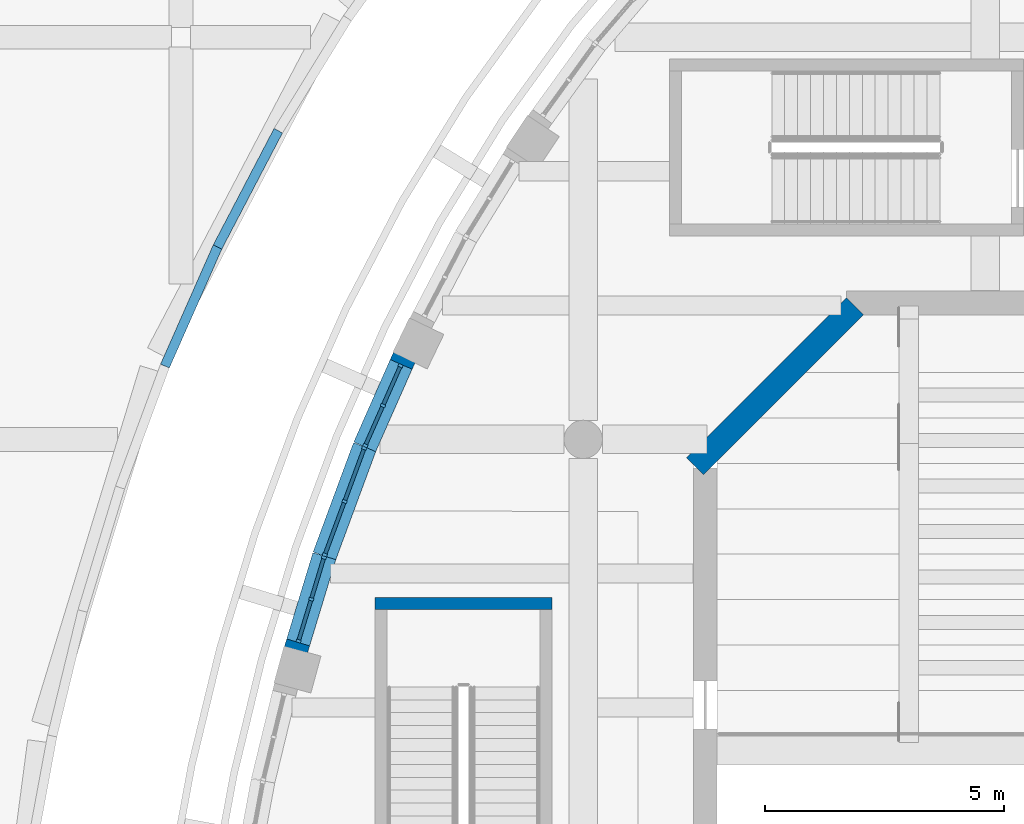
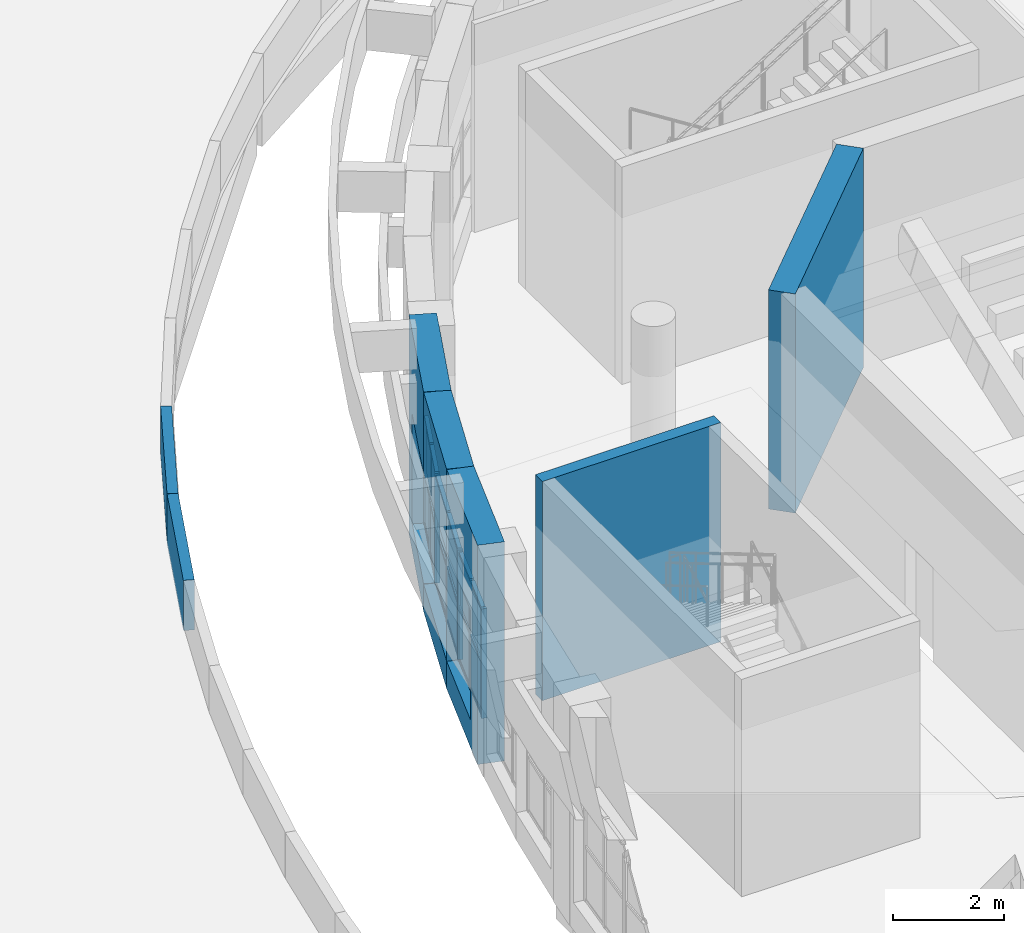
# One storey, part 28 of 79: 27 members, 12 plates, 7 walls, 3 openings, 3 elements without a shape of their own.
"""IFC4 building model written with IfcOpenShell, lengths in metres."""

import ifcopenshell
import ifcopenshell.guid

model = None  # the IFC model being written
_history = None  # IfcOwnerHistory: only IFC2X3 demands one
_inside = {}  # id of a spatial element -> (the spatial element, [elements in it])
_under = {}  # id of a project, library or spatial element -> (it, [spatial elements below it])
_declared = {}  # id of a project -> (the project, [libraries it declares])
_typed = {}  # id of a type object -> (the type object, [elements of that type])
_made_of = {}  # id of a material, layer set ... -> (it, [elements and type objects made of it])


def new_model(schema):
    """Start an empty IFC model of exactly this schema.

    Asked for "IFC4X3", IfcOpenShell would pick the latest addendum, in which some entities
    have other attributes; the version numbers below select the first issue.
    IFC2X3 requires an IfcOwnerHistory on every rooted entity: one is made here for all.
    """
    global model, _history
    if schema == "IFC4X3":
        model = ifcopenshell.file(schema_version=(4, 3, 0, 0))
    else:
        model = ifcopenshell.file(schema=schema)
    _inside.clear()
    _under.clear()
    _declared.clear()
    _typed.clear()
    _made_of.clear()
    _history = None
    if model.schema == "IFC2X3":
        org = make("IfcOrganization", Name="unknown")
        user = make(
            "IfcPersonAndOrganization",
            ThePerson=make("IfcPerson", FamilyName="unknown"),
            TheOrganization=org,
        )
        app = make(
            "IfcApplication",
            ApplicationDeveloper=org,
            Version="unknown",
            ApplicationFullName="unknown",
            ApplicationIdentifier="unknown",
        )
        _history = make(
            "IfcOwnerHistory",
            OwningUser=user,
            OwningApplication=app,
            ChangeAction="ADDED",
            CreationDate=0,
        )
    return model


def make(cls, **values):
    """One entity of the class cls with the attributes given. An attribute that is None is left unset."""
    return model.create_entity(
        cls, **{name: value for name, value in values.items() if value is not None}
    )


def rooted(cls, **values):
    """An entity with a GlobalId (a new one), such as an element, a storey or a relation."""
    return make(cls, GlobalId=ifcopenshell.guid.new(), OwnerHistory=_history, **values)


def si_unit(unit_type, name, prefix=None):
    """IfcSIUnit, for example si_unit("LENGTHUNIT", "METRE", prefix="MILLI")."""
    return make("IfcSIUnit", UnitType=unit_type, Prefix=prefix, Name=name)


def assignment(units):
    """IfcUnitAssignment: the units of a project."""
    return None if units is None else make("IfcUnitAssignment", Units=units)


def point(xyz):
    """IfcCartesianPoint."""
    return None if xyz is None else make("IfcCartesianPoint", Coordinates=xyz)


def direction(xyz):
    """IfcDirection."""
    return None if xyz is None else make("IfcDirection", DirectionRatios=xyz)


def frame(location, z_axis=None, x_axis=None):
    """IfcAxis2Placement3D, a coordinate frame: its origin and axes. An axis left out is left unset."""
    return make(
        "IfcAxis2Placement3D",
        Location=point(location),
        Axis=direction(z_axis),
        RefDirection=direction(x_axis),
    )


def frame_2d(location, x_axis=None):
    """IfcAxis2Placement2D, a coordinate frame in the plane: its origin and x axis."""
    return make(
        "IfcAxis2Placement2D", Location=point(location), RefDirection=direction(x_axis)
    )


def origin():
    """The frame at (0, 0, 0) with its axes left unset."""
    return frame((0.0, 0.0, 0.0))


def origin_2d():
    """The frame at (0, 0) in the plane with its x axis left unset."""
    return frame_2d((0.0, 0.0))


def place(relative_to, where):
    """IfcLocalPlacement: puts the frame where relative to a parent placement (None: the world)."""
    return make(
        "IfcLocalPlacement", PlacementRelTo=relative_to, RelativePlacement=where
    )


def context(
    kind, dimensions, precision=None, world=None, true_north=None, identifier=None
):
    """IfcGeometricRepresentationContext, for example the 3D "Model" context."""
    return make(
        "IfcGeometricRepresentationContext",
        ContextIdentifier=identifier,
        ContextType=kind,
        CoordinateSpaceDimension=dimensions,
        Precision=precision,
        WorldCoordinateSystem=world,
        TrueNorth=true_north,
    )


def subcontext(parent, identifier, kind, view, scale=None):
    """IfcGeometricRepresentationSubContext, for example "Body" below "Model"."""
    return make(
        "IfcGeometricRepresentationSubContext",
        ContextIdentifier=identifier,
        ContextType=kind,
        ParentContext=parent,
        TargetScale=scale,
        TargetView=view,
    )


def project(units=None, contexts=None):
    """IfcProject with its units and contexts."""
    return rooted(
        "IfcProject",
        Name="project",
        RepresentationContexts=contexts,
        UnitsInContext=assignment(units),
    )


def spatial(cls, under=None, at=None, **own):
    """A site, building, storey or space (cls), placed at a placement, below another one or the project."""
    s = rooted(cls, ObjectPlacement=at, **own)
    if under is not None:
        _under.setdefault(under.id(), (under, []))[1].append(s)
    return s


def profile(cls, at=None, kind="AREA", **sizes):
    """A parametric profile (cls). Its sizes go by their IFC names, for example OverallWidth=200.0."""
    return make(cls, ProfileType=kind, Position=at, **sizes)


def rectangle(**sizes):
    """IfcRectangleProfileDef."""
    return profile("IfcRectangleProfileDef", **sizes)


def extrude(swept, where, along, depth):
    """IfcExtrudedAreaSolid: the profile swept, set in the frame where, extruded along a direction by depth."""
    return make(
        "IfcExtrudedAreaSolid",
        SweptArea=swept,
        Position=where,
        ExtrudedDirection=direction(along),
        Depth=depth,
    )


def shape(context_of_items, identifier, shape_type, items):
    """IfcShapeRepresentation: the items that make up one representation, for example the "Body"."""
    return make(
        "IfcShapeRepresentation",
        ContextOfItems=context_of_items,
        RepresentationIdentifier=identifier,
        RepresentationType=shape_type,
        Items=items,
    )


def material(Name=None, Category=None):
    """IfcMaterial."""
    return make("IfcMaterial", Name=Name, Category=Category)


def layer(
    of_material, thickness, ventilated=None, Name=None, Category=None, Priority=None
):
    """IfcMaterialLayer: one layer of a wall or slab, of a material (None: an air gap)."""
    return make(
        "IfcMaterialLayer",
        Material=of_material,
        LayerThickness=thickness,
        IsVentilated=ventilated,
        Name=Name,
        Category=Category,
        Priority=Priority,
    )


def layer_set(layers, Name=None):
    """IfcMaterialLayerSet."""
    return make("IfcMaterialLayerSet", MaterialLayers=layers, LayerSetName=Name)


def material_profile(
    of_material, cross_section, Name=None, Category=None, Priority=None
):
    """IfcMaterialProfile: a cross section and its material."""
    return make(
        "IfcMaterialProfile",
        Name=Name,
        Material=of_material,
        Profile=cross_section,
        Priority=Priority,
        Category=Category,
    )


def profile_set(profiles, Name=None, composite=None):
    """IfcMaterialProfileSet."""
    return make(
        "IfcMaterialProfileSet",
        Name=Name,
        MaterialProfiles=profiles,
        CompositeProfile=composite,
    )


def made_of(thing, what):
    """Note that an element or type object is made of a material, layer set ...; save() writes the relation."""
    if what is not None:
        _made_of.setdefault(what.id(), (what, []))[1].append(thing)
    return thing


def type_object(cls, material=None, **own):
    """A type object (cls), such as IfcWallType, which elements share."""
    return made_of(rooted(cls, **own), material)


def element(
    cls,
    number,
    at=None,
    inside=None,
    cuts=None,
    type_object=None,
    material=None,
    context=None,
    identifier="Body",
    shape_type=None,
    held_by="IfcProductDefinitionShape",
    body=None,
    shapes=None,
    **own,
):
    """One element of the class cls, such as IfcWall. Its Tag is "e" and its number.

    at: its placement. inside: the storey or other place that contains it. cuts: it is an
    opening in that element (IfcRelVoidsElement). A single representation is given by context,
    identifier, shape_type and body (its items); several are given by shapes. held_by: the class
    of the entity that holds the representations. save() writes the other relations.
    """
    e = rooted(cls, Tag="e%d" % number, ObjectPlacement=at, **own)
    if body is not None:
        shapes = [shape(context, identifier, shape_type, body)]
    if shapes is not None:
        e.Representation = make(held_by, Representations=shapes)
    if inside is not None:
        _inside.setdefault(inside.id(), (inside, []))[1].append(e)
    if cuts is not None:
        rooted(
            "IfcRelVoidsElement", RelatingBuildingElement=cuts, RelatedOpeningElement=e
        )
    if type_object is not None:
        _typed.setdefault(type_object.id(), (type_object, []))[1].append(e)
    return made_of(e, material)


def fill(opening, filler):
    """IfcRelFillsElement: the door or window that sits in an opening."""
    return rooted(
        "IfcRelFillsElement",
        RelatingOpeningElement=opening,
        RelatedBuildingElement=filler,
    )


def aggregate(whole, parts):
    """IfcRelAggregates: a whole, such as a stair, and the parts it consists of."""
    return rooted("IfcRelAggregates", RelatingObject=whole, RelatedObjects=parts)


def save(model, path):
    """Write the relations noted so far, then the file.

    IfcRelAggregates (storeys below a building ...), IfcRelContainedInSpatialStructure (elements
    in a storey), IfcRelDefinesByType, IfcRelAssociatesMaterial and IfcRelDeclares: one each for
    every whole, place, type object, material and project.
    """
    for whole, parts in _under.values():
        aggregate(whole, parts)
    for where, things in _inside.values():
        rooted(
            "IfcRelContainedInSpatialStructure",
            RelatedElements=things,
            RelatingStructure=where,
        )
    for kind, things in _typed.values():
        rooted("IfcRelDefinesByType", RelatedObjects=things, RelatingType=kind)
    for what, things in _made_of.values():
        rooted("IfcRelAssociatesMaterial", RelatedObjects=things, RelatingMaterial=what)
    for by, libraries in _declared.values():
        rooted("IfcRelDeclares", RelatingContext=by, RelatedDefinitions=libraries)
    model.write(path)


model = new_model("IFC4")

# Units and contexts
model_context = context("Model", 3, precision=1e-05, world=origin(), true_north=direction((0.0, 1.0)))
body_context = subcontext(model_context, "Body", "Model", "MODEL_VIEW")
ifc_project = project(units=[si_unit("LENGTHUNIT", "METRE"), si_unit("AREAUNIT", "SQUARE_METRE"), si_unit("VOLUMEUNIT", "CUBIC_METRE"), si_unit("PLANEANGLEUNIT", "RADIAN"), si_unit("MASSUNIT", "GRAM", prefix="KILO")], contexts=[model_context])

# Site, building, storey
site_placement = place(None, origin())
site = spatial("IfcSite", under=ifc_project, at=site_placement, CompositionType="ELEMENT")
building_placement = place(site_placement, origin())
building = spatial("IfcBuilding", under=site, at=building_placement, Name="Larchfold Concert Hall", CompositionType="ELEMENT")
storey_placement = place(building_placement, frame((0.0, 0.0, 14.39990234375)))
storey = spatial("IfcBuildingStorey", under=building, at=storey_placement, Name="L03", CompositionType="ELEMENT", Elevation=14.39990234375)

# Curtain wall, members
ifc_material_1 = material(Name="Anodised graphite aluminium curtain wall", Category="aluminium")
ifc_layer_1 = layer(ifc_material_1, 0.10009765625)
ifc_layer_set_1 = layer_set([ifc_layer_1], Name="Anodised graphite aluminium curtain wall")
curtain_wall_type = type_object("IfcCurtainWallType", Name="Curtain wall GB", PredefinedType="NOTDEFINED", material=ifc_layer_set_1)
curtain_wall_1_placement = place(storey_placement, origin())
curtain_wall_1 = element("IfcCurtainWall", 1, at=curtain_wall_1_placement, inside=storey, type_object=curtain_wall_type, Name="Curtain wall CW0031", PredefinedType="NOTDEFINED")
ifc_material_2 = material(Name="Anodised graphite aluminium mullion", Category="aluminium")
ifc_material_profile_1 = material_profile(ifc_material_2, rectangle(XDim=0.10009765625, YDim=0.06005859375, at=origin_2d()))
ifc_profile_set_1 = profile_set([ifc_material_profile_1], Name="Anodised graphite aluminium mullion")
member_type_1 = type_object("IfcMemberType", Name="Aluminium mullion 60x100", PredefinedType="MULLION", material=ifc_profile_set_1)
member_1_placement = place(storey_placement, frame((21.98486328125, 102.938720703125, 0.60009765625), z_axis=(0.0, 0.0, 1.0), x_axis=(0.914744543538, -0.40403269678, 0.0)))
member_1 = element("IfcMember", 2, at=member_1_placement, type_object=member_type_1, Name="CW0031 mullion 1", PredefinedType="MULLION", context=body_context, shape_type="SweptSolid", body=[
    extrude(rectangle(XDim=0.10009765625, YDim=0.06005859375, at=origin_2d()), origin(), (0.0, 0.0, 1.0), 2.39990234375),
])
member_2_placement = place(storey_placement, frame((21.616455078125, 102.104736328125, 0.60009765625), z_axis=(0.0, 0.0, 1.0), x_axis=(0.914744543538, -0.40403269678, 0.0)))
member_2 = element("IfcMember", 3, at=member_2_placement, type_object=member_type_1, Name="CW0031 mullion 2", PredefinedType="MULLION", context=body_context, shape_type="SweptSolid", body=[
    extrude(rectangle(XDim=0.10009765625, YDim=0.06005859375, at=origin_2d()), origin(), (0.0, 0.0, 1.0), 2.39990234375),
])
member_3_placement = place(storey_placement, frame((21.248291015625, 101.2705078125, 0.60009765625), z_axis=(0.0, 0.0, 1.0), x_axis=(0.914744543538, -0.40403269678, 0.0)))
member_3 = element("IfcMember", 4, at=member_3_placement, type_object=member_type_1, Name="CW0031 mullion 3", PredefinedType="MULLION", context=body_context, shape_type="SweptSolid", body=[
    extrude(rectangle(XDim=0.10009765625, YDim=0.06005859375, at=origin_2d()), origin(), (0.0, 0.0, 1.0), 2.39990234375),
])

curtain_wall_2_placement = place(storey_placement, origin())
curtain_wall_2 = element("IfcCurtainWall", 5, at=curtain_wall_2_placement, inside=storey, type_object=curtain_wall_type, Name="Curtain wall CW0032", PredefinedType="NOTDEFINED")
member_4_placement = place(storey_placement, frame((21.2255859375, 101.215087890625, 0.60009765625), z_axis=(0.0, 0.0, 1.0), x_axis=(0.93802073171, -0.34657914952, 0.0)))
member_4 = element("IfcMember", 6, at=member_4_placement, type_object=member_type_1, Name="CW0032 mullion 1", PredefinedType="MULLION", context=body_context, shape_type="SweptSolid", body=[
    extrude(rectangle(XDim=0.10009765625, YDim=0.06005859375, at=origin_2d()), origin(), (0.0, 0.0, 1.0), 2.39990234375),
])
member_5_placement = place(storey_placement, frame((20.814453125, 100.1015625, 0.60009765625), z_axis=(0.0, 0.0, 1.0), x_axis=(0.93802073171, -0.34657914952, 0.0)))
member_5 = element("IfcMember", 7, at=member_5_placement, type_object=member_type_1, Name="CW0032 mullion 2", PredefinedType="MULLION", context=body_context, shape_type="SweptSolid", body=[
    extrude(rectangle(XDim=0.10009765625, YDim=0.06005859375, at=origin_2d()), origin(), (0.0, 0.0, 1.0), 2.39990234375),
])
member_6_placement = place(storey_placement, frame((20.403076171875, 98.98828125, 0.60009765625), z_axis=(0.0, 0.0, 1.0), x_axis=(0.93802073171, -0.34657914952, 0.0)))
member_6 = element("IfcMember", 8, at=member_6_placement, type_object=member_type_1, Name="CW0032 mullion 3", PredefinedType="MULLION", context=body_context, shape_type="SweptSolid", body=[
    extrude(rectangle(XDim=0.10009765625, YDim=0.06005859375, at=origin_2d()), origin(), (0.0, 0.0, 1.0), 2.39990234375),
])

curtain_wall_3_placement = place(storey_placement, origin())
curtain_wall_3 = element("IfcCurtainWall", 9, at=curtain_wall_3_placement, inside=storey, type_object=curtain_wall_type, Name="Curtain wall CW0033", PredefinedType="NOTDEFINED")
member_7_placement = place(storey_placement, frame((20.3837890625, 98.931396484375, 0.60009765625), z_axis=(0.0, 0.0, 1.0), x_axis=(0.956854198164, -0.290568483246, 0.0)))
member_7 = element("IfcMember", 10, at=member_7_placement, type_object=member_type_1, Name="CW0033 mullion 1", PredefinedType="MULLION", context=body_context, shape_type="SweptSolid", body=[
    extrude(rectangle(XDim=0.10009765625, YDim=0.06005859375, at=origin_2d()), origin(), (0.0, 0.0, 1.0), 2.39990234375),
])
member_8_placement = place(storey_placement, frame((20.118896484375, 98.05908203125, 0.60009765625), z_axis=(0.0, 0.0, 1.0), x_axis=(0.956854198164, -0.290568483246, 0.0)))
member_8 = element("IfcMember", 11, at=member_8_placement, type_object=member_type_1, Name="CW0033 mullion 2", PredefinedType="MULLION", context=body_context, shape_type="SweptSolid", body=[
    extrude(rectangle(XDim=0.10009765625, YDim=0.06005859375, at=origin_2d()), origin(), (0.0, 0.0, 1.0), 2.39990234375),
])
member_9_placement = place(storey_placement, frame((19.85400390625, 97.1865234375, 0.60009765625), z_axis=(0.0, 0.0, 1.0), x_axis=(0.956854198164, -0.290568483246, 0.0)))
member_9 = element("IfcMember", 12, at=member_9_placement, type_object=member_type_1, Name="CW0033 mullion 3", PredefinedType="MULLION", context=body_context, shape_type="SweptSolid", body=[
    extrude(rectangle(XDim=0.10009765625, YDim=0.06005859375, at=origin_2d()), origin(), (0.0, 0.0, 1.0), 2.39990234375),
])

# Member
ifc_material_3 = material(Name="Anodised graphite aluminium transom", Category="aluminium")
ifc_material_profile_2 = material_profile(ifc_material_3, rectangle(XDim=0.080078125, YDim=0.06005859375, at=origin_2d()))
ifc_profile_set_2 = profile_set([ifc_material_profile_2], Name="Anodised graphite aluminium transom")
member_type_2 = type_object("IfcMemberType", Name="Aluminium transom 60x80", PredefinedType="USERDEFINED", material=ifc_profile_set_2)
member_10_placement = place(storey_placement, frame((21.972900390625, 102.9111328125, 0.630126953125), z_axis=(-0.404169425569, -0.914684139709, 0.0), x_axis=(0.914684139709, -0.404169425569, 0.0)))
member_10 = element("IfcMember", 13, at=member_10_placement, type_object=member_type_2, Name="CW0031 transom 1.1", ObjectType="TRANSOM", PredefinedType="USERDEFINED", context=body_context, shape_type="SweptSolid", body=[
    extrude(rectangle(XDim=0.080078125, YDim=0.06005859375, at=origin_2d()), origin(), (0.0, 0.0, 1.0), 0.851806640625),
])

member_11_placement = place(storey_placement, frame((21.972900390625, 102.9111328125, 1.800048828125), z_axis=(-0.404169425569, -0.914684139709, 0.0), x_axis=(0.914684139709, -0.404169425569, 0.0)))
member_11 = element("IfcMember", 14, at=member_11_placement, type_object=member_type_2, Name="CW0031 transom 1.2", ObjectType="TRANSOM", PredefinedType="USERDEFINED", context=body_context, shape_type="SweptSolid", body=[
    extrude(rectangle(XDim=0.080078125, YDim=0.06005859375, at=origin_2d()), origin(), (0.0, 0.0, 1.0), 0.851806640625),
])

member_12_placement = place(storey_placement, frame((21.972900390625, 102.9111328125, 2.969970703125), z_axis=(-0.404169425569, -0.914684139709, 0.0), x_axis=(0.914684139709, -0.404169425569, 0.0)))
member_12 = element("IfcMember", 15, at=member_12_placement, type_object=member_type_2, Name="CW0031 transom 1.3", ObjectType="TRANSOM", PredefinedType="USERDEFINED", context=body_context, shape_type="SweptSolid", body=[
    extrude(rectangle(XDim=0.080078125, YDim=0.06005859375, at=origin_2d()), origin(), (0.0, 0.0, 1.0), 0.851806640625),
])

member_13_placement = place(storey_placement, frame((21.6044921875, 102.0771484375, 0.630126953125), z_axis=(-0.404169425569, -0.914684139709, 0.0), x_axis=(0.914684139709, -0.404169425569, 0.0)))
member_13 = element("IfcMember", 16, at=member_13_placement, type_object=member_type_2, Name="CW0031 transom 2.1", ObjectType="TRANSOM", PredefinedType="USERDEFINED", context=body_context, shape_type="SweptSolid", body=[
    extrude(rectangle(XDim=0.080078125, YDim=0.06005859375, at=origin_2d()), origin(), (0.0, 0.0, 1.0), 0.851806640625),
])

member_14_placement = place(storey_placement, frame((21.6044921875, 102.0771484375, 1.800048828125), z_axis=(-0.404169425569, -0.914684139709, 0.0), x_axis=(0.914684139709, -0.404169425569, 0.0)))
member_14 = element("IfcMember", 17, at=member_14_placement, type_object=member_type_2, Name="CW0031 transom 2.2", ObjectType="TRANSOM", PredefinedType="USERDEFINED", context=body_context, shape_type="SweptSolid", body=[
    extrude(rectangle(XDim=0.080078125, YDim=0.06005859375, at=origin_2d()), origin(), (0.0, 0.0, 1.0), 0.851806640625),
])

member_15_placement = place(storey_placement, frame((21.6044921875, 102.0771484375, 2.969970703125), z_axis=(-0.404169425569, -0.914684139709, 0.0), x_axis=(0.914684139709, -0.404169425569, 0.0)))
member_15 = element("IfcMember", 18, at=member_15_placement, type_object=member_type_2, Name="CW0031 transom 2.3", ObjectType="TRANSOM", PredefinedType="USERDEFINED", context=body_context, shape_type="SweptSolid", body=[
    extrude(rectangle(XDim=0.080078125, YDim=0.06005859375, at=origin_2d()), origin(), (0.0, 0.0, 1.0), 0.851806640625),
])

member_16_placement = place(storey_placement, frame((21.21533203125, 101.186767578125, 0.630126953125), z_axis=(-0.34667915076, -0.937983777274, 0.0), x_axis=(0.937983777274, -0.34667915076, 0.0)))
member_16 = element("IfcMember", 19, at=member_16_placement, type_object=member_type_2, Name="CW0032 transom 1.1", ObjectType="TRANSOM", PredefinedType="USERDEFINED", context=body_context, shape_type="SweptSolid", body=[
    extrude(rectangle(XDim=0.080078125, YDim=0.06005859375, at=origin_2d()), origin(), (0.0, 0.0, 1.0), 1.126708984375),
])

member_17_placement = place(storey_placement, frame((21.21533203125, 101.186767578125, 1.800048828125), z_axis=(-0.34667915076, -0.937983777274, 0.0), x_axis=(0.937983777274, -0.34667915076, 0.0)))
member_17 = element("IfcMember", 20, at=member_17_placement, type_object=member_type_2, Name="CW0032 transom 1.2", ObjectType="TRANSOM", PredefinedType="USERDEFINED", context=body_context, shape_type="SweptSolid", body=[
    extrude(rectangle(XDim=0.080078125, YDim=0.06005859375, at=origin_2d()), origin(), (0.0, 0.0, 1.0), 1.126708984375),
])

member_18_placement = place(storey_placement, frame((21.21533203125, 101.186767578125, 2.969970703125), z_axis=(-0.34667915076, -0.937983777274, 0.0), x_axis=(0.937983777274, -0.34667915076, 0.0)))
member_18 = element("IfcMember", 21, at=member_18_placement, type_object=member_type_2, Name="CW0032 transom 1.3", ObjectType="TRANSOM", PredefinedType="USERDEFINED", context=body_context, shape_type="SweptSolid", body=[
    extrude(rectangle(XDim=0.080078125, YDim=0.06005859375, at=origin_2d()), origin(), (0.0, 0.0, 1.0), 1.126708984375),
])

member_19_placement = place(storey_placement, frame((20.803955078125, 100.073486328125, 0.630126953125), z_axis=(-0.34667915076, -0.937983777274, 0.0), x_axis=(0.937983777274, -0.34667915076, 0.0)))
member_19 = element("IfcMember", 22, at=member_19_placement, type_object=member_type_2, Name="CW0032 transom 2.1", ObjectType="TRANSOM", PredefinedType="USERDEFINED", context=body_context, shape_type="SweptSolid", body=[
    extrude(rectangle(XDim=0.080078125, YDim=0.06005859375, at=origin_2d()), origin(), (0.0, 0.0, 1.0), 1.126708984375),
])

member_20_placement = place(storey_placement, frame((20.803955078125, 100.073486328125, 1.800048828125), z_axis=(-0.34667915076, -0.937983777274, 0.0), x_axis=(0.937983777274, -0.34667915076, 0.0)))
member_20 = element("IfcMember", 23, at=member_20_placement, type_object=member_type_2, Name="CW0032 transom 2.2", ObjectType="TRANSOM", PredefinedType="USERDEFINED", context=body_context, shape_type="SweptSolid", body=[
    extrude(rectangle(XDim=0.080078125, YDim=0.06005859375, at=origin_2d()), origin(), (0.0, 0.0, 1.0), 1.126708984375),
])

member_21_placement = place(storey_placement, frame((20.803955078125, 100.073486328125, 2.969970703125), z_axis=(-0.34667915076, -0.937983777274, 0.0), x_axis=(0.937983777274, -0.34667915076, 0.0)))
member_21 = element("IfcMember", 24, at=member_21_placement, type_object=member_type_2, Name="CW0032 transom 2.3", ObjectType="TRANSOM", PredefinedType="USERDEFINED", context=body_context, shape_type="SweptSolid", body=[
    extrude(rectangle(XDim=0.080078125, YDim=0.06005859375, at=origin_2d()), origin(), (0.0, 0.0, 1.0), 1.126708984375),
])

member_22_placement = place(storey_placement, frame((20.375244140625, 98.90283203125, 0.630126953125), z_axis=(-0.290579997422, -0.956850701572, 0.0), x_axis=(0.956850701572, -0.290579997422, 0.0)))
member_22 = element("IfcMember", 25, at=member_22_placement, type_object=member_type_2, Name="CW0033 transom 1.1", ObjectType="TRANSOM", PredefinedType="USERDEFINED", context=body_context, shape_type="SweptSolid", body=[
    extrude(rectangle(XDim=0.080078125, YDim=0.06005859375, at=origin_2d()), origin(), (0.0, 0.0, 1.0), 0.85205078125),
])

member_23_placement = place(storey_placement, frame((20.375244140625, 98.90283203125, 1.800048828125), z_axis=(-0.290579997422, -0.956850701572, 0.0), x_axis=(0.956850701572, -0.290579997422, 0.0)))
member_23 = element("IfcMember", 26, at=member_23_placement, type_object=member_type_2, Name="CW0033 transom 1.2", ObjectType="TRANSOM", PredefinedType="USERDEFINED", context=body_context, shape_type="SweptSolid", body=[
    extrude(rectangle(XDim=0.080078125, YDim=0.06005859375, at=origin_2d()), origin(), (0.0, 0.0, 1.0), 0.85205078125),
])

member_24_placement = place(storey_placement, frame((20.375244140625, 98.90283203125, 2.969970703125), z_axis=(-0.290579997422, -0.956850701572, 0.0), x_axis=(0.956850701572, -0.290579997422, 0.0)))
member_24 = element("IfcMember", 27, at=member_24_placement, type_object=member_type_2, Name="CW0033 transom 1.3", ObjectType="TRANSOM", PredefinedType="USERDEFINED", context=body_context, shape_type="SweptSolid", body=[
    extrude(rectangle(XDim=0.080078125, YDim=0.06005859375, at=origin_2d()), origin(), (0.0, 0.0, 1.0), 0.85205078125),
])

member_25_placement = place(storey_placement, frame((20.110107421875, 98.0302734375, 0.630126953125), z_axis=(-0.290579997422, -0.956850701572, 0.0), x_axis=(0.956850701572, -0.290579997422, 0.0)))
member_25 = element("IfcMember", 28, at=member_25_placement, type_object=member_type_2, Name="CW0033 transom 2.1", ObjectType="TRANSOM", PredefinedType="USERDEFINED", context=body_context, shape_type="SweptSolid", body=[
    extrude(rectangle(XDim=0.080078125, YDim=0.06005859375, at=origin_2d()), origin(), (0.0, 0.0, 1.0), 0.85205078125),
])

member_26_placement = place(storey_placement, frame((20.110107421875, 98.0302734375, 1.800048828125), z_axis=(-0.290579997422, -0.956850701572, 0.0), x_axis=(0.956850701572, -0.290579997422, 0.0)))
member_26 = element("IfcMember", 29, at=member_26_placement, type_object=member_type_2, Name="CW0033 transom 2.2", ObjectType="TRANSOM", PredefinedType="USERDEFINED", context=body_context, shape_type="SweptSolid", body=[
    extrude(rectangle(XDim=0.080078125, YDim=0.06005859375, at=origin_2d()), origin(), (0.0, 0.0, 1.0), 0.85205078125),
])

member_27_placement = place(storey_placement, frame((20.110107421875, 98.0302734375, 2.969970703125), z_axis=(-0.290579997422, -0.956850701572, 0.0), x_axis=(0.956850701572, -0.290579997422, 0.0)))
member_27 = element("IfcMember", 30, at=member_27_placement, type_object=member_type_2, Name="CW0033 transom 2.3", ObjectType="TRANSOM", PredefinedType="USERDEFINED", context=body_context, shape_type="SweptSolid", body=[
    extrude(rectangle(XDim=0.080078125, YDim=0.06005859375, at=origin_2d()), origin(), (0.0, 0.0, 1.0), 0.85205078125),
])

# Plate
ifc_material_4 = material(Name="Insulated glazing unit, glass", Category="glass")
ifc_layer_2 = layer(ifc_material_4, 0.02392578125)
ifc_layer_set_2 = layer_set([ifc_layer_2], Name="Insulated glazing unit, glass")
plate_type_1 = type_object("IfcPlateType", Name="Glass panel 24", PredefinedType="CURTAIN_PANEL", material=ifc_layer_set_2)
plate_1_placement = place(storey_placement, frame((21.80078125, 102.521728515625, 1.830078125), z_axis=(0.0, 0.0, 1.0), x_axis=(-0.40403269678, -0.914744543538, 0.0)))
plate_1 = element("IfcPlate", 31, at=plate_1_placement, type_object=plate_type_1, Name="CW0031 panel 1.2", PredefinedType="CURTAIN_PANEL", context=body_context, shape_type="SweptSolid", body=[
    extrude(rectangle(XDim=0.851806640625, YDim=0.02392578125, at=origin_2d()), origin(), (0.0, 0.0, 1.0), 1.10986328125),
])

plate_2_placement = place(storey_placement, frame((21.432373046875, 101.6875, 1.830078125), z_axis=(0.0, 0.0, 1.0), x_axis=(-0.40403269678, -0.914744543538, 0.0)))
plate_2 = element("IfcPlate", 32, at=plate_2_placement, type_object=plate_type_1, Name="CW0031 panel 2.2", PredefinedType="CURTAIN_PANEL", context=body_context, shape_type="SweptSolid", body=[
    extrude(rectangle(XDim=0.851806640625, YDim=0.02392578125, at=origin_2d()), origin(), (0.0, 0.0, 1.0), 1.10986328125),
])

plate_3_placement = place(storey_placement, frame((21.02001953125, 100.658447265625, 1.830078125), z_axis=(0.0, 0.0, 1.0), x_axis=(-0.34657914952, -0.93802073171, 0.0)))
plate_3 = element("IfcPlate", 33, at=plate_3_placement, type_object=plate_type_1, Name="CW0032 panel 1.2", PredefinedType="CURTAIN_PANEL", context=body_context, shape_type="SweptSolid", body=[
    extrude(rectangle(XDim=1.126953125, YDim=0.02392578125, at=origin_2d()), origin(), (0.0, 0.0, 1.0), 1.10986328125),
])

plate_4_placement = place(storey_placement, frame((20.608642578125, 99.544921875, 1.830078125), z_axis=(0.0, 0.0, 1.0), x_axis=(-0.34657914952, -0.93802073171, 0.0)))
plate_4 = element("IfcPlate", 34, at=plate_4_placement, type_object=plate_type_1, Name="CW0032 panel 2.2", PredefinedType="CURTAIN_PANEL", context=body_context, shape_type="SweptSolid", body=[
    extrude(rectangle(XDim=1.126953125, YDim=0.02392578125, at=origin_2d()), origin(), (0.0, 0.0, 1.0), 1.10986328125),
])

plate_5_placement = place(storey_placement, frame((20.25146484375, 98.4951171875, 1.830078125), z_axis=(0.0, 0.0, 1.0), x_axis=(-0.290568483246, -0.956854198164, 0.0)))
plate_5 = element("IfcPlate", 35, at=plate_5_placement, type_object=plate_type_1, Name="CW0033 panel 1.2", PredefinedType="CURTAIN_PANEL", context=body_context, shape_type="SweptSolid", body=[
    extrude(rectangle(XDim=0.851806640625, YDim=0.02392578125, at=origin_2d()), origin(), (0.0, 0.0, 1.0), 1.10986328125),
])

plate_6_placement = place(storey_placement, frame((19.986328125, 97.622802734375, 1.830078125), z_axis=(0.0, 0.0, 1.0), x_axis=(-0.290568483246, -0.956854198164, 0.0)))
plate_6 = element("IfcPlate", 36, at=plate_6_placement, type_object=plate_type_1, Name="CW0033 panel 2.2", PredefinedType="CURTAIN_PANEL", context=body_context, shape_type="SweptSolid", body=[
    extrude(rectangle(XDim=0.851806640625, YDim=0.02392578125, at=origin_2d()), origin(), (0.0, 0.0, 1.0), 1.10986328125),
])

ifc_material_5 = material(Name="White insulated panel")
ifc_layer_3 = layer(ifc_material_5, 0.050048828125)
ifc_layer_set_3 = layer_set([ifc_layer_3], Name="White insulated panel")
plate_type_2 = type_object("IfcPlateType", Name="Insulated spandrel panel 50", PredefinedType="CURTAIN_PANEL", material=ifc_layer_set_3)
plate_7_placement = place(storey_placement, frame((21.80078125, 102.521728515625, 0.66015625), z_axis=(0.0, 0.0, 1.0), x_axis=(-0.40403269678, -0.914744543538, 0.0)))
plate_7 = element("IfcPlate", 37, at=plate_7_placement, type_object=plate_type_2, Name="CW0031 panel 1.1", PredefinedType="CURTAIN_PANEL", context=body_context, shape_type="SweptSolid", body=[
    extrude(rectangle(XDim=0.851806640625, YDim=0.050048828125, at=origin_2d()), origin(), (0.0, 0.0, 1.0), 1.10986328125),
])

plate_8_placement = place(storey_placement, frame((21.432373046875, 101.6875, 0.66015625), z_axis=(0.0, 0.0, 1.0), x_axis=(-0.40403269678, -0.914744543538, 0.0)))
plate_8 = element("IfcPlate", 38, at=plate_8_placement, type_object=plate_type_2, Name="CW0031 panel 2.1", PredefinedType="CURTAIN_PANEL", context=body_context, shape_type="SweptSolid", body=[
    extrude(rectangle(XDim=0.851806640625, YDim=0.050048828125, at=origin_2d()), origin(), (0.0, 0.0, 1.0), 1.10986328125),
])

aggregate(curtain_wall_1, [member_1, member_2, member_3, member_10, member_11, member_12, plate_7, plate_1, member_13, member_14, member_15, plate_8, plate_2])

plate_9_placement = place(storey_placement, frame((21.02001953125, 100.658447265625, 0.66015625), z_axis=(0.0, 0.0, 1.0), x_axis=(-0.34657914952, -0.93802073171, 0.0)))
plate_9 = element("IfcPlate", 39, at=plate_9_placement, type_object=plate_type_2, Name="CW0032 panel 1.1", PredefinedType="CURTAIN_PANEL", context=body_context, shape_type="SweptSolid", body=[
    extrude(rectangle(XDim=1.126953125, YDim=0.050048828125, at=origin_2d()), origin(), (0.0, 0.0, 1.0), 1.10986328125),
])

plate_10_placement = place(storey_placement, frame((20.608642578125, 99.544921875, 0.66015625), z_axis=(0.0, 0.0, 1.0), x_axis=(-0.34657914952, -0.93802073171, 0.0)))
plate_10 = element("IfcPlate", 40, at=plate_10_placement, type_object=plate_type_2, Name="CW0032 panel 2.1", PredefinedType="CURTAIN_PANEL", context=body_context, shape_type="SweptSolid", body=[
    extrude(rectangle(XDim=1.126953125, YDim=0.050048828125, at=origin_2d()), origin(), (0.0, 0.0, 1.0), 1.10986328125),
])

aggregate(curtain_wall_2, [member_4, member_5, member_6, member_16, member_17, member_18, plate_9, plate_3, member_19, member_20, member_21, plate_10, plate_4])

plate_11_placement = place(storey_placement, frame((20.25146484375, 98.4951171875, 0.66015625), z_axis=(0.0, 0.0, 1.0), x_axis=(-0.290568483246, -0.956854198164, 0.0)))
plate_11 = element("IfcPlate", 41, at=plate_11_placement, type_object=plate_type_2, Name="CW0033 panel 1.1", PredefinedType="CURTAIN_PANEL", context=body_context, shape_type="SweptSolid", body=[
    extrude(rectangle(XDim=0.851806640625, YDim=0.050048828125, at=origin_2d()), origin(), (0.0, 0.0, 1.0), 1.10986328125),
])

plate_12_placement = place(storey_placement, frame((19.986328125, 97.622802734375, 0.66015625), z_axis=(0.0, 0.0, 1.0), x_axis=(-0.290568483246, -0.956854198164, 0.0)))
plate_12 = element("IfcPlate", 42, at=plate_12_placement, type_object=plate_type_2, Name="CW0033 panel 2.1", PredefinedType="CURTAIN_PANEL", context=body_context, shape_type="SweptSolid", body=[
    extrude(rectangle(XDim=0.851806640625, YDim=0.050048828125, at=origin_2d()), origin(), (0.0, 0.0, 1.0), 1.10986328125),
])

aggregate(curtain_wall_3, [member_7, member_8, member_9, member_22, member_23, member_24, plate_11, plate_5, member_25, member_26, member_27, plate_12, plate_6])

# Walls
ifc_material_6 = material(Name="White render on insulated block")
ifc_layer_4 = layer(ifc_material_6, 0.199951171875)
ifc_layer_set_4 = layer_set([ifc_layer_4], Name="White render on insulated block")
wall_type_1 = type_object("IfcWallType", Name="Roof parapet 200", PredefinedType="PARAPET", material=ifc_layer_set_4)
wall_1_placement = place(storey_placement, frame((17.0625, 102.930908203125, 0.0), z_axis=(0.0, 0.0, 1.0), x_axis=(0.403947309241, 0.914782253521, 0.0)))
element("IfcWall", 43, at=wall_1_placement, inside=storey, type_object=wall_type_1, Name="Parapet PW0028", PredefinedType="PARAPET", context=body_context, shape_type="SweptSolid", body=[
    extrude(rectangle(XDim=2.720458984375, YDim=0.199951171875, at=frame_2d((1.3603515625, 0.0))), origin(), (0.0, 0.0, 1.0), 1.10009765625),
])
wall_2_placement = place(storey_placement, frame((18.161376953125, 105.41943359375, 0.0), z_axis=(0.0, 0.0, 1.0), x_axis=(0.463114200551, 0.886298616296, 0.0)))
element("IfcWall", 44, at=wall_2_placement, inside=storey, type_object=wall_type_1, Name="Parapet PW0029", PredefinedType="PARAPET", context=body_context, shape_type="SweptSolid", body=[
    extrude(rectangle(XDim=2.7392578125, YDim=0.199951171875, at=frame_2d((1.36962890625, 0.0))), origin(), (0.0, 0.0, 1.0), 1.10009765625),
])
ifc_material_7 = material(Name="Concrete C40/50", Category="concrete")
ifc_layer_5 = layer(ifc_material_7, 0.25)
ifc_layer_set_5 = layer_set([ifc_layer_5], Name="Concrete C40/50")
wall_type_2 = type_object("IfcWallType", Name="Wall RC 250 stair core", PredefinedType="SOLIDWALL", material=ifc_layer_set_5)
wall_3_placement = place(storey_placement, frame((21.449951171875, 97.97509765625, 0.0), z_axis=(0.0, 0.0, 1.0), x_axis=(1.0, 0.0, 0.0)))
element("IfcWall", 45, at=wall_3_placement, inside=storey, type_object=wall_type_2, Name="Wall W0043", PredefinedType="SOLIDWALL", context=body_context, shape_type="SweptSolid", body=[
    extrude(rectangle(XDim=3.699951171875, YDim=0.25, at=frame_2d((1.85009765625, 0.0))), origin(), (0.0, 0.0, 1.0), 4.800048828125),
])

# Wall, opening
ifc_material_8 = material(Name="Concrete C30/37", Category="concrete")
ifc_layer_6 = layer(ifc_material_8, 0.5)
ifc_layer_set_6 = layer_set([ifc_layer_6], Name="Concrete C30/37")
wall_type_3 = type_object("IfcWallType", Name="Wall RC 500 drum facade", PredefinedType="SOLIDWALL", material=ifc_layer_set_6)
wall_4_placement = place(storey_placement, frame((22.219482421875, 103.46923828125, 0.0), z_axis=(0.0, 0.0, 1.0), x_axis=(-0.404089673612, -0.914719375371, 0.0)))
wall_4 = element("IfcWall", 46, at=wall_4_placement, inside=storey, type_object=wall_type_3, Name="Wall DW031", PredefinedType="SOLIDWALL", context=body_context, shape_type="SweptSolid", body=[
    extrude(rectangle(XDim=2.43359375, YDim=0.5, at=frame_2d((1.216796875, 0.0))), origin(), (0.0, 0.0, 1.0), 4.800048828125),
])
opening_1_placement = place(wall_4_placement, frame((0.550048828125, 0.0, 0.60009765625)))
opening_1 = element("IfcOpeningElement", 47, at=opening_1_placement, cuts=wall_4, Name="Opening CW0031", PredefinedType="OPENING", context=body_context, shape_type="SweptSolid", body=[
    extrude(rectangle(XDim=1.883544921875, YDim=2.39990234375, at=frame_2d((0.94189453125, 1.199951171875))), frame((0.0, 0.260009765625, 0.0), z_axis=(0.0, -1.0, 0.0), x_axis=(1.0, 0.0, 0.0)), (0.0, 0.0, 1.0), 0.52001953125),
])

fill(opening_1, curtain_wall_1)

wall_5_placement = place(storey_placement, frame((21.236083984375, 101.2431640625, 0.0), z_axis=(0.0, 0.0, 1.0), x_axis=(-0.346579149604, -0.938020731679, 0.0)))
wall_5 = element("IfcWall", 48, at=wall_5_placement, inside=storey, type_object=wall_type_3, Name="Wall DW032", PredefinedType="SOLIDWALL", context=body_context, shape_type="SweptSolid", body=[
    extrude(rectangle(XDim=2.433837890625, YDim=0.5, at=frame_2d((1.216796875, 0.0))), origin(), (0.0, 0.0, 1.0), 4.800048828125),
])
opening_2_placement = place(wall_5_placement, frame((0.0, 0.0, 0.60009765625)))
opening_2 = element("IfcOpeningElement", 49, at=opening_2_placement, cuts=wall_5, Name="Opening CW0032", PredefinedType="OPENING", context=body_context, shape_type="SweptSolid", body=[
    extrude(rectangle(XDim=2.433837890625, YDim=2.39990234375, at=frame_2d((1.216796875, 1.199951171875))), frame((0.0, 0.260009765625, 0.0), z_axis=(0.0, -1.0, 0.0), x_axis=(1.0, 0.0, 0.0)), (0.0, 0.0, 1.0), 0.52001953125),
])

fill(opening_2, curtain_wall_2)

wall_6_placement = place(storey_placement, frame((20.392578125, 98.960205078125, 0.0), z_axis=(0.0, 0.0, 1.0), x_axis=(-0.290594767559, -0.956846215997, 0.0)))
wall_6 = element("IfcWall", 50, at=wall_6_placement, inside=storey, type_object=wall_type_3, Name="Wall DW033", PredefinedType="SOLIDWALL", context=body_context, shape_type="SweptSolid", body=[
    extrude(rectangle(XDim=2.433837890625, YDim=0.5, at=frame_2d((1.216796875, 0.0))), origin(), (0.0, 0.0, 1.0), 4.800048828125),
])
opening_3_placement = place(wall_6_placement, frame((0.0, 0.0, 0.60009765625)))
opening_3 = element("IfcOpeningElement", 51, at=opening_3_placement, cuts=wall_6, Name="Opening CW0033", PredefinedType="OPENING", context=body_context, shape_type="SweptSolid", body=[
    extrude(rectangle(XDim=1.8837890625, YDim=2.39990234375, at=frame_2d((0.94189453125, 1.199951171875))), frame((0.0, 0.260009765625, 0.0), z_axis=(0.0, -1.0, 0.0), x_axis=(1.0, 0.0, 0.0)), (0.0, 0.0, 1.0), 0.52001953125),
])

fill(opening_3, curtain_wall_3)

# Wall
ifc_material_9 = material(Name="Concrete C40/50", Category="concrete")
ifc_layer_7 = layer(ifc_material_9, 0.5)
ifc_layer_set_7 = layer_set([ifc_layer_7], Name="Concrete C40/50")
wall_type_4 = type_object("IfcWallType", Name="Wall RC 500 hall shell", PredefinedType="SOLIDWALL", material=ifc_layer_set_7)
wall_7_placement = place(storey_placement, frame((31.477294921875, 104.17724609375, 0.0), z_axis=(0.0, 0.0, 1.0), x_axis=(-0.707106781187, -0.707106781187, 0.0)))
element("IfcWall", 52, at=wall_7_placement, inside=storey, type_object=wall_type_4, Name="Wall W0005", PredefinedType="SOLIDWALL", context=body_context, shape_type="SweptSolid", body=[
    extrude(rectangle(XDim=4.720458984375, YDim=0.5, at=frame_2d((2.3603515625, 0.0))), origin(), (0.0, 0.0, 1.0), 4.800048828125),
])

save(model, "model.ifc")
